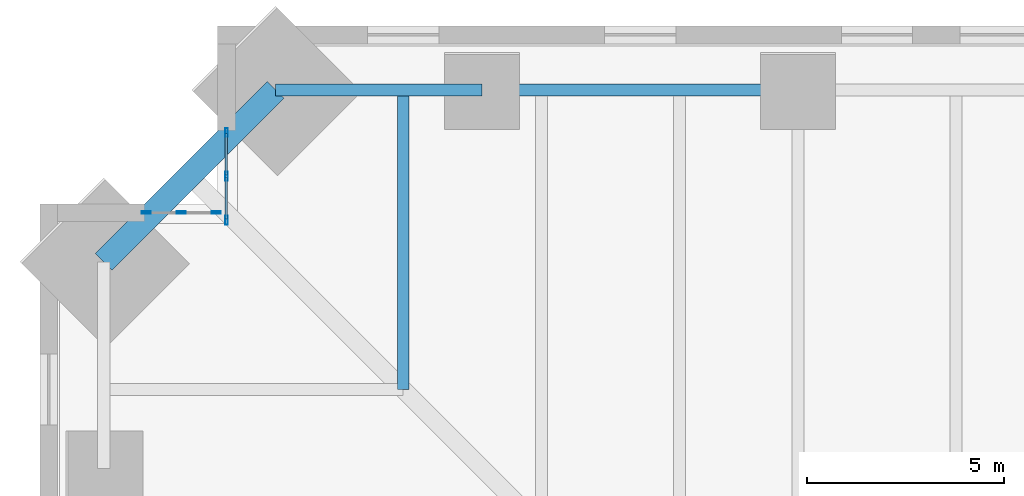
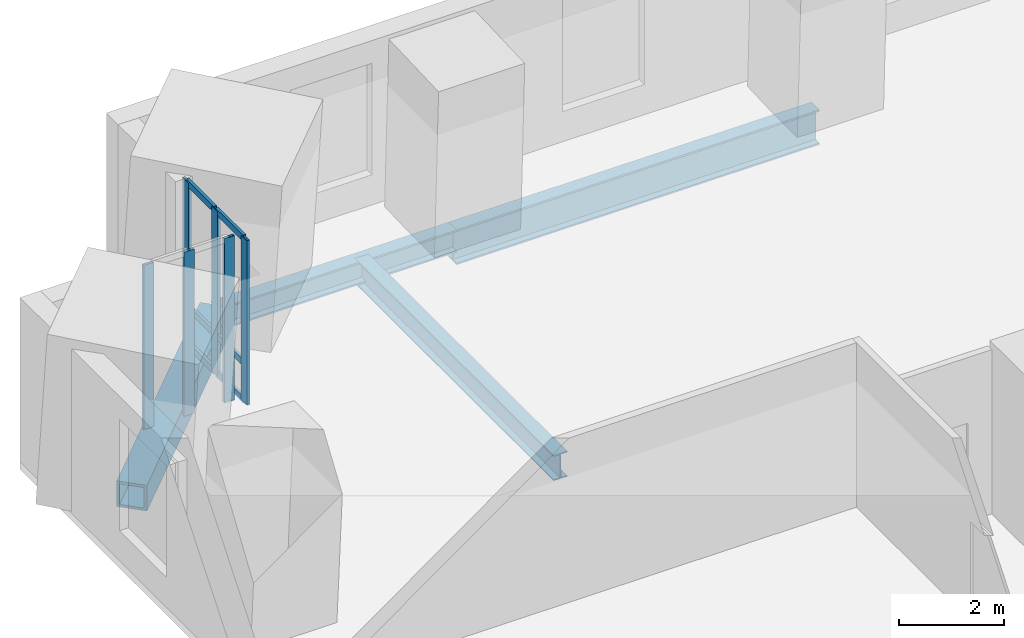
# One storey, part 6 of 16: 12 members, 4 beams, 2 elements without a shape of their own.
"""IFC4 building model written with IfcOpenShell, lengths in metres."""

import ifcopenshell
import ifcopenshell.guid

model = None  # the IFC model being written
_history = None  # IfcOwnerHistory: only IFC2X3 demands one
_inside = {}  # id of a spatial element -> (the spatial element, [elements in it])
_under = {}  # id of a project, library or spatial element -> (it, [spatial elements below it])
_declared = {}  # id of a project -> (the project, [libraries it declares])
_typed = {}  # id of a type object -> (the type object, [elements of that type])
_made_of = {}  # id of a material, layer set ... -> (it, [elements and type objects made of it])


def new_model(schema):
    """Start an empty IFC model of exactly this schema.

    Asked for "IFC4X3", IfcOpenShell would pick the latest addendum, in which some entities
    have other attributes; the version numbers below select the first issue.
    IFC2X3 requires an IfcOwnerHistory on every rooted entity: one is made here for all.
    """
    global model, _history
    if schema == "IFC4X3":
        model = ifcopenshell.file(schema_version=(4, 3, 0, 0))
    else:
        model = ifcopenshell.file(schema=schema)
    _inside.clear()
    _under.clear()
    _declared.clear()
    _typed.clear()
    _made_of.clear()
    _history = None
    if model.schema == "IFC2X3":
        org = make("IfcOrganization", Name="unknown")
        user = make(
            "IfcPersonAndOrganization",
            ThePerson=make("IfcPerson", FamilyName="unknown"),
            TheOrganization=org,
        )
        app = make(
            "IfcApplication",
            ApplicationDeveloper=org,
            Version="unknown",
            ApplicationFullName="unknown",
            ApplicationIdentifier="unknown",
        )
        _history = make(
            "IfcOwnerHistory",
            OwningUser=user,
            OwningApplication=app,
            ChangeAction="ADDED",
            CreationDate=0,
        )
    return model


def make(cls, **values):
    """One entity of the class cls with the attributes given. An attribute that is None is left unset."""
    return model.create_entity(
        cls, **{name: value for name, value in values.items() if value is not None}
    )


def rooted(cls, **values):
    """An entity with a GlobalId (a new one), such as an element, a storey or a relation."""
    return make(cls, GlobalId=ifcopenshell.guid.new(), OwnerHistory=_history, **values)


def si_unit(unit_type, name, prefix=None):
    """IfcSIUnit, for example si_unit("LENGTHUNIT", "METRE", prefix="MILLI")."""
    return make("IfcSIUnit", UnitType=unit_type, Prefix=prefix, Name=name)


def assignment(units):
    """IfcUnitAssignment: the units of a project."""
    return None if units is None else make("IfcUnitAssignment", Units=units)


def point(xyz):
    """IfcCartesianPoint."""
    return None if xyz is None else make("IfcCartesianPoint", Coordinates=xyz)


def direction(xyz):
    """IfcDirection."""
    return None if xyz is None else make("IfcDirection", DirectionRatios=xyz)


def frame(location, z_axis=None, x_axis=None):
    """IfcAxis2Placement3D, a coordinate frame: its origin and axes. An axis left out is left unset."""
    return make(
        "IfcAxis2Placement3D",
        Location=point(location),
        Axis=direction(z_axis),
        RefDirection=direction(x_axis),
    )


def frame_2d(location, x_axis=None):
    """IfcAxis2Placement2D, a coordinate frame in the plane: its origin and x axis."""
    return make(
        "IfcAxis2Placement2D", Location=point(location), RefDirection=direction(x_axis)
    )


def origin():
    """The frame at (0, 0, 0) with its axes left unset."""
    return frame((0.0, 0.0, 0.0))


def origin_2d():
    """The frame at (0, 0) in the plane with its x axis left unset."""
    return frame_2d((0.0, 0.0))


def place(relative_to, where):
    """IfcLocalPlacement: puts the frame where relative to a parent placement (None: the world)."""
    return make(
        "IfcLocalPlacement", PlacementRelTo=relative_to, RelativePlacement=where
    )


def context(
    kind, dimensions, precision=None, world=None, true_north=None, identifier=None
):
    """IfcGeometricRepresentationContext, for example the 3D "Model" context."""
    return make(
        "IfcGeometricRepresentationContext",
        ContextIdentifier=identifier,
        ContextType=kind,
        CoordinateSpaceDimension=dimensions,
        Precision=precision,
        WorldCoordinateSystem=world,
        TrueNorth=true_north,
    )


def subcontext(parent, identifier, kind, view, scale=None):
    """IfcGeometricRepresentationSubContext, for example "Body" below "Model"."""
    return make(
        "IfcGeometricRepresentationSubContext",
        ContextIdentifier=identifier,
        ContextType=kind,
        ParentContext=parent,
        TargetScale=scale,
        TargetView=view,
    )


def project(units=None, contexts=None):
    """IfcProject with its units and contexts."""
    return rooted(
        "IfcProject",
        Name="project",
        RepresentationContexts=contexts,
        UnitsInContext=assignment(units),
    )


def spatial(cls, under=None, at=None, **own):
    """A site, building, storey or space (cls), placed at a placement, below another one or the project."""
    s = rooted(cls, ObjectPlacement=at, **own)
    if under is not None:
        _under.setdefault(under.id(), (under, []))[1].append(s)
    return s


def profile(cls, at=None, kind="AREA", **sizes):
    """A parametric profile (cls). Its sizes go by their IFC names, for example OverallWidth=200.0."""
    return make(cls, ProfileType=kind, Position=at, **sizes)


def hollow_rectangle(**sizes):
    """IfcRectangleHollowProfileDef."""
    return profile("IfcRectangleHollowProfileDef", **sizes)


def i_section(**sizes):
    """IfcIShapeProfileDef."""
    return profile("IfcIShapeProfileDef", **sizes)


def extrude(swept, where, along, depth):
    """IfcExtrudedAreaSolid: the profile swept, set in the frame where, extruded along a direction by depth."""
    return make(
        "IfcExtrudedAreaSolid",
        SweptArea=swept,
        Position=where,
        ExtrudedDirection=direction(along),
        Depth=depth,
    )


def shape(context_of_items, identifier, shape_type, items):
    """IfcShapeRepresentation: the items that make up one representation, for example the "Body"."""
    return make(
        "IfcShapeRepresentation",
        ContextOfItems=context_of_items,
        RepresentationIdentifier=identifier,
        RepresentationType=shape_type,
        Items=items,
    )


def material(Name=None, Category=None):
    """IfcMaterial."""
    return make("IfcMaterial", Name=Name, Category=Category)


def material_profile(
    of_material, cross_section, Name=None, Category=None, Priority=None
):
    """IfcMaterialProfile: a cross section and its material."""
    return make(
        "IfcMaterialProfile",
        Name=Name,
        Material=of_material,
        Profile=cross_section,
        Priority=Priority,
        Category=Category,
    )


def profile_set(profiles, Name=None, composite=None):
    """IfcMaterialProfileSet."""
    return make(
        "IfcMaterialProfileSet",
        Name=Name,
        MaterialProfiles=profiles,
        CompositeProfile=composite,
    )


def made_of(thing, what):
    """Note that an element or type object is made of a material, layer set ...; save() writes the relation."""
    if what is not None:
        _made_of.setdefault(what.id(), (what, []))[1].append(thing)
    return thing


def type_object(cls, material=None, **own):
    """A type object (cls), such as IfcWallType, which elements share."""
    return made_of(rooted(cls, **own), material)


def element(
    cls,
    number,
    at=None,
    inside=None,
    cuts=None,
    type_object=None,
    material=None,
    context=None,
    identifier="Body",
    shape_type=None,
    held_by="IfcProductDefinitionShape",
    body=None,
    shapes=None,
    **own,
):
    """One element of the class cls, such as IfcWall. Its Tag is "e" and its number.

    at: its placement. inside: the storey or other place that contains it. cuts: it is an
    opening in that element (IfcRelVoidsElement). A single representation is given by context,
    identifier, shape_type and body (its items); several are given by shapes. held_by: the class
    of the entity that holds the representations. save() writes the other relations.
    """
    e = rooted(cls, Tag="e%d" % number, ObjectPlacement=at, **own)
    if body is not None:
        shapes = [shape(context, identifier, shape_type, body)]
    if shapes is not None:
        e.Representation = make(held_by, Representations=shapes)
    if inside is not None:
        _inside.setdefault(inside.id(), (inside, []))[1].append(e)
    if cuts is not None:
        rooted(
            "IfcRelVoidsElement", RelatingBuildingElement=cuts, RelatedOpeningElement=e
        )
    if type_object is not None:
        _typed.setdefault(type_object.id(), (type_object, []))[1].append(e)
    return made_of(e, material)


def aggregate(whole, parts):
    """IfcRelAggregates: a whole, such as a stair, and the parts it consists of."""
    return rooted("IfcRelAggregates", RelatingObject=whole, RelatedObjects=parts)


def save(model, path):
    """Write the relations noted so far, then the file.

    IfcRelAggregates (storeys below a building ...), IfcRelContainedInSpatialStructure (elements
    in a storey), IfcRelDefinesByType, IfcRelAssociatesMaterial and IfcRelDeclares: one each for
    every whole, place, type object, material and project.
    """
    for whole, parts in _under.values():
        aggregate(whole, parts)
    for where, things in _inside.values():
        rooted(
            "IfcRelContainedInSpatialStructure",
            RelatedElements=things,
            RelatingStructure=where,
        )
    for kind, things in _typed.values():
        rooted("IfcRelDefinesByType", RelatedObjects=things, RelatingType=kind)
    for what, things in _made_of.values():
        rooted("IfcRelAssociatesMaterial", RelatedObjects=things, RelatingMaterial=what)
    for by, libraries in _declared.values():
        rooted("IfcRelDeclares", RelatingContext=by, RelatedDefinitions=libraries)
    model.write(path)


model = new_model("IFC4")

# Units and contexts
model_context = context("Model", 3, precision=1e-05, world=origin(), true_north=direction((0.0, 1.0)))
body_context = subcontext(model_context, "Body", "Model", "MODEL_VIEW")
ifc_project = project(units=[si_unit("LENGTHUNIT", "METRE"), si_unit("AREAUNIT", "SQUARE_METRE"), si_unit("VOLUMEUNIT", "CUBIC_METRE"), si_unit("PLANEANGLEUNIT", "RADIAN"), si_unit("MASSUNIT", "GRAM", prefix="KILO")], contexts=[model_context])

# Site, building, storey
site_placement = place(None, origin())
site = spatial("IfcSite", under=ifc_project, at=site_placement, CompositionType="ELEMENT")
building_placement = place(site_placement, origin())
building = spatial("IfcBuilding", under=site, at=building_placement, Name="Peilmerk Tower", CompositionType="ELEMENT")
storey_placement = place(building_placement, frame((0.0, 0.0, 131.800048828125)))
storey = spatial("IfcBuildingStorey", under=building, at=storey_placement, Name="L26", CompositionType="ELEMENT", Elevation=131.800048828125)

# Beams
ifc_material_1 = material(Name="Steel S355", Category="steel")
ifc_material_profile_1 = material_profile(ifc_material_1, i_section(OverallWidth=0.302978515625, OverallDepth=0.81396484375, WebThickness=0.02099609375, FlangeThickness=0.0400390625, at=origin_2d()), Name="HEM 800")
ifc_profile_set_1 = profile_set([ifc_material_profile_1], Name="Steel S355")
beam_type_1 = type_object("IfcBeamType", Name="B15 HEM 800 edge beam", PredefinedType="SPANDREL", material=ifc_profile_set_1)
beam_1_placement = place(storey_placement, frame((-8.0, 25.582275390625, -0.5771484375), z_axis=(-1.0, 0.0, 0.0), x_axis=(0.0, -1.0, 0.0)))
element("IfcBeam", 1, at=beam_1_placement, inside=storey, type_object=beam_type_1, Name="Edge beam L26", PredefinedType="SPANDREL", context=body_context, shape_type="SweptSolid", body=[
    extrude(i_section(OverallWidth=0.302978515625, OverallDepth=0.81396484375, WebThickness=0.02099609375, FlangeThickness=0.0400390625, at=origin_2d()), origin(), (0.0, 0.0, 1.0), 8.0),
])
ifc_material_2 = material(Name="Steel S460", Category="steel")
ifc_material_profile_2 = material_profile(ifc_material_2, hollow_rectangle(XDim=0.60009765625, YDim=0.60009765625, WallThickness=0.06005859375, at=origin_2d()), Name="BOX 600x600x60")
ifc_profile_set_2 = profile_set([ifc_material_profile_2], Name="Steel S460")
beam_type_2 = type_object("IfcBeamType", Name="B20 BOX 600x600x60 notch beam", PredefinedType="SPANDREL", material=ifc_profile_set_2)
beam_2_placement = place(storey_placement, frame((-25.582275390625, 21.232177734375, -0.469970703125), z_axis=(0.707106781187, 0.707106781187, 0.0), x_axis=(-0.707106781187, 0.707106781187, 0.0)))
element("IfcBeam", 2, at=beam_2_placement, inside=storey, type_object=beam_type_2, Name="Notch beam L26", PredefinedType="SPANDREL", context=body_context, shape_type="SweptSolid", body=[
    extrude(hollow_rectangle(XDim=0.60009765625, YDim=0.60009765625, WallThickness=0.06005859375, at=origin_2d()), origin(), (0.0, 0.0, 1.0), 6.15185546875),
])
ifc_material_profile_3 = material_profile(ifc_material_1, i_section(OverallWidth=0.300048828125, OverallDepth=0.590087890625, WebThickness=0.012939453125, FlangeThickness=0.02490234375, at=origin_2d()), Name="HEA 600")
ifc_profile_set_3 = profile_set([ifc_material_profile_3], Name="Steel S355")
beam_type_3 = type_object("IfcBeamType", Name="B27 HEA 600 floor beam", PredefinedType="BEAM", material=ifc_profile_set_3)
beam_3_placement = place(storey_placement, frame((-18.0, 18.0, -0.465087890625), z_axis=(0.0, 1.0, 0.0), x_axis=(-1.0, 0.0, 0.0)))
element("IfcBeam", 3, at=beam_3_placement, inside=storey, type_object=beam_type_3, Name="Floor beam L26", PredefinedType="BEAM", context=body_context, shape_type="SweptSolid", body=[
    extrude(i_section(OverallWidth=0.300048828125, OverallDepth=0.590087890625, WebThickness=0.012939453125, FlangeThickness=0.02490234375, at=origin_2d()), origin(), (0.0, 0.0, 1.0), 7.582275390625),
])
ifc_material_profile_4 = material_profile(ifc_material_1, i_section(OverallWidth=0.305908203125, OverallDepth=0.52392578125, WebThickness=0.02099609375, FlangeThickness=0.0400390625, at=origin_2d()), Name="HEM 500")
ifc_profile_set_4 = profile_set([ifc_material_profile_4], Name="Steel S355")
beam_type_4 = type_object("IfcBeamType", Name="B33 HEM 500 edge beam", PredefinedType="SPANDREL", material=ifc_profile_set_4)
beam_4_placement = place(storey_placement, frame((-16.0, 25.582275390625, -0.43212890625), z_axis=(-1.0, 0.0, 0.0), x_axis=(0.0, -1.0, 0.0)))
element("IfcBeam", 4, at=beam_4_placement, inside=storey, type_object=beam_type_4, Name="Edge beam L26", PredefinedType="SPANDREL", context=body_context, shape_type="SweptSolid", body=[
    extrude(i_section(OverallWidth=0.305908203125, OverallDepth=0.52392578125, WebThickness=0.02099609375, FlangeThickness=0.0400390625, at=origin_2d()), origin(), (0.0, 0.0, 1.0), 5.232177734375),
])

# Curtain wall, members
ifc_material_3 = material(Name="Aluminium stick curtain wall", Category="aluminium")
curtain_wall_type = type_object("IfcCurtainWallType", Name="CW3 stick curtain wall, 2250 module", PredefinedType="NOTDEFINED", material=ifc_material_3)
curtain_wall_1_placement = place(storey_placement, origin())
curtain_wall_1 = element("IfcCurtainWall", 5, at=curtain_wall_1_placement, inside=storey, type_object=curtain_wall_type, Name="Curtain wall CW3 NWA L26", PredefinedType="NOTDEFINED")
ifc_material_4 = material(Name="Aluminium EN AW-6063 T6", Category="aluminium")
ifc_material_profile_5 = material_profile(ifc_material_4, hollow_rectangle(XDim=0.06494140625, YDim=0.22509765625, WallThickness=0.00390625, at=origin_2d()), Name="AL 225x65x4")
ifc_profile_set_5 = profile_set([ifc_material_profile_5], Name="Aluminium EN AW-6063 T6")
member_type_1 = type_object("IfcMemberType", Name="CW3-M AL 225x65x4 mullion", PredefinedType="MULLION", material=ifc_profile_set_5)
member_1_placement = place(storey_placement, frame((-22.47509765625, 22.282470703125, 0.0), z_axis=(0.0, 0.0, 1.0), x_axis=(-1.0, 0.0, 0.0)))
member_1 = element("IfcMember", 6, at=member_1_placement, type_object=member_type_1, Name="CW3 mullion 1", PredefinedType="MULLION", context=body_context, shape_type="SweptSolid", body=[
    extrude(hollow_rectangle(XDim=0.06494140625, YDim=0.22509765625, WallThickness=0.00390625, at=origin_2d()), origin(), (0.0, 0.0, 1.0), 3.829833984375),
])
member_2_placement = place(storey_placement, frame((-22.47509765625, 23.394287109375, 0.0), z_axis=(0.0, 0.0, 1.0), x_axis=(-1.0, 0.0, 0.0)))
member_2 = element("IfcMember", 7, at=member_2_placement, type_object=member_type_1, Name="CW3 mullion 2", PredefinedType="MULLION", context=body_context, shape_type="SweptSolid", body=[
    extrude(hollow_rectangle(XDim=0.06494140625, YDim=0.22509765625, WallThickness=0.00390625, at=origin_2d()), origin(), (0.0, 0.0, 1.0), 3.829833984375),
])
member_3_placement = place(storey_placement, frame((-22.47509765625, 24.506103515625, 0.0), z_axis=(0.0, 0.0, 1.0), x_axis=(-1.0, 0.0, 0.0)))
member_3 = element("IfcMember", 8, at=member_3_placement, type_object=member_type_1, Name="CW3 mullion 3", PredefinedType="MULLION", context=body_context, shape_type="SweptSolid", body=[
    extrude(hollow_rectangle(XDim=0.06494140625, YDim=0.22509765625, WallThickness=0.00390625, at=origin_2d()), origin(), (0.0, 0.0, 1.0), 3.829833984375),
])

curtain_wall_2_placement = place(storey_placement, origin())
curtain_wall_2 = element("IfcCurtainWall", 9, at=curtain_wall_2_placement, inside=storey, type_object=curtain_wall_type, Name="Curtain wall CW3 NWB L26", PredefinedType="NOTDEFINED")
member_4_placement = place(storey_placement, frame((-22.732421875, 22.47509765625, 0.0), z_axis=(0.0, 0.0, 1.0), x_axis=(0.0, -1.0, 0.0)))
member_4 = element("IfcMember", 10, at=member_4_placement, type_object=member_type_1, Name="CW3 mullion 1", PredefinedType="MULLION", context=body_context, shape_type="SweptSolid", body=[
    extrude(hollow_rectangle(XDim=0.06494140625, YDim=0.22509765625, WallThickness=0.00390625, at=origin_2d()), origin(), (0.0, 0.0, 1.0), 3.829833984375),
])
member_5_placement = place(storey_placement, frame((-23.619384765625, 22.47509765625, 0.0), z_axis=(0.0, 0.0, 1.0), x_axis=(0.0, -1.0, 0.0)))
member_5 = element("IfcMember", 11, at=member_5_placement, type_object=member_type_1, Name="CW3 mullion 2", PredefinedType="MULLION", context=body_context, shape_type="SweptSolid", body=[
    extrude(hollow_rectangle(XDim=0.06494140625, YDim=0.22509765625, WallThickness=0.00390625, at=origin_2d()), origin(), (0.0, 0.0, 1.0), 3.829833984375),
])
member_6_placement = place(storey_placement, frame((-24.506103515625, 22.47509765625, 0.0), z_axis=(0.0, 0.0, 1.0), x_axis=(0.0, -1.0, 0.0)))
member_6 = element("IfcMember", 12, at=member_6_placement, type_object=member_type_1, Name="CW3 mullion 3", PredefinedType="MULLION", context=body_context, shape_type="SweptSolid", body=[
    extrude(hollow_rectangle(XDim=0.06494140625, YDim=0.22509765625, WallThickness=0.00390625, at=origin_2d()), origin(), (0.0, 0.0, 1.0), 3.829833984375),
])
aggregate(curtain_wall_2, [member_4, member_5, member_6])

# Member
ifc_material_profile_6 = material_profile(ifc_material_4, hollow_rectangle(XDim=0.06494140625, YDim=0.14990234375, WallThickness=0.0029296875, at=origin_2d()), Name="AL 150x65x3")
ifc_profile_set_6 = profile_set([ifc_material_profile_6], Name="Aluminium EN AW-6063 T6")
member_type_2 = type_object("IfcMemberType", Name="CW3-T AL 150x65x3 transom", PredefinedType="USERDEFINED", material=ifc_profile_set_6)
member_7_placement = place(storey_placement, frame((-22.47509765625, 22.31494140625, 0.032470703125), z_axis=(0.0, 1.0, 0.0), x_axis=(-1.0, 0.0, 0.0)))
member_7 = element("IfcMember", 13, at=member_7_placement, type_object=member_type_2, Name="CW3 transom 1.1", ObjectType="TRANSOM", PredefinedType="USERDEFINED", context=body_context, shape_type="SweptSolid", body=[
    extrude(hollow_rectangle(XDim=0.06494140625, YDim=0.14990234375, WallThickness=0.0029296875, at=origin_2d()), origin(), (0.0, 0.0, 1.0), 1.046875),
])

member_8_placement = place(storey_placement, frame((-22.47509765625, 22.31494140625, 0.89990234375), z_axis=(0.0, 1.0, 0.0), x_axis=(-1.0, 0.0, 0.0)))
member_8 = element("IfcMember", 14, at=member_8_placement, type_object=member_type_2, Name="CW3 transom 1.2", ObjectType="TRANSOM", PredefinedType="USERDEFINED", context=body_context, shape_type="SweptSolid", body=[
    extrude(hollow_rectangle(XDim=0.06494140625, YDim=0.14990234375, WallThickness=0.0029296875, at=origin_2d()), origin(), (0.0, 0.0, 1.0), 1.046875),
])

member_9_placement = place(storey_placement, frame((-22.47509765625, 22.31494140625, 3.79736328125), z_axis=(0.0, 1.0, 0.0), x_axis=(-1.0, 0.0, 0.0)))
member_9 = element("IfcMember", 15, at=member_9_placement, type_object=member_type_2, Name="CW3 transom 1.3", ObjectType="TRANSOM", PredefinedType="USERDEFINED", context=body_context, shape_type="SweptSolid", body=[
    extrude(hollow_rectangle(XDim=0.06494140625, YDim=0.14990234375, WallThickness=0.0029296875, at=origin_2d()), origin(), (0.0, 0.0, 1.0), 1.046875),
])

member_10_placement = place(storey_placement, frame((-22.47509765625, 23.4267578125, 0.032470703125), z_axis=(0.0, 1.0, 0.0), x_axis=(-1.0, 0.0, 0.0)))
member_10 = element("IfcMember", 16, at=member_10_placement, type_object=member_type_2, Name="CW3 transom 2.1", ObjectType="TRANSOM", PredefinedType="USERDEFINED", context=body_context, shape_type="SweptSolid", body=[
    extrude(hollow_rectangle(XDim=0.06494140625, YDim=0.14990234375, WallThickness=0.0029296875, at=origin_2d()), origin(), (0.0, 0.0, 1.0), 1.046875),
])

member_11_placement = place(storey_placement, frame((-22.47509765625, 23.4267578125, 0.89990234375), z_axis=(0.0, 1.0, 0.0), x_axis=(-1.0, 0.0, 0.0)))
member_11 = element("IfcMember", 17, at=member_11_placement, type_object=member_type_2, Name="CW3 transom 2.2", ObjectType="TRANSOM", PredefinedType="USERDEFINED", context=body_context, shape_type="SweptSolid", body=[
    extrude(hollow_rectangle(XDim=0.06494140625, YDim=0.14990234375, WallThickness=0.0029296875, at=origin_2d()), origin(), (0.0, 0.0, 1.0), 1.046875),
])

member_12_placement = place(storey_placement, frame((-22.47509765625, 23.4267578125, 3.79736328125), z_axis=(0.0, 1.0, 0.0), x_axis=(-1.0, 0.0, 0.0)))
member_12 = element("IfcMember", 18, at=member_12_placement, type_object=member_type_2, Name="CW3 transom 2.3", ObjectType="TRANSOM", PredefinedType="USERDEFINED", context=body_context, shape_type="SweptSolid", body=[
    extrude(hollow_rectangle(XDim=0.06494140625, YDim=0.14990234375, WallThickness=0.0029296875, at=origin_2d()), origin(), (0.0, 0.0, 1.0), 1.046875),
])

aggregate(curtain_wall_1, [member_1, member_2, member_3, member_7, member_8, member_9, member_10, member_11, member_12])

save(model, "model.ifc")
